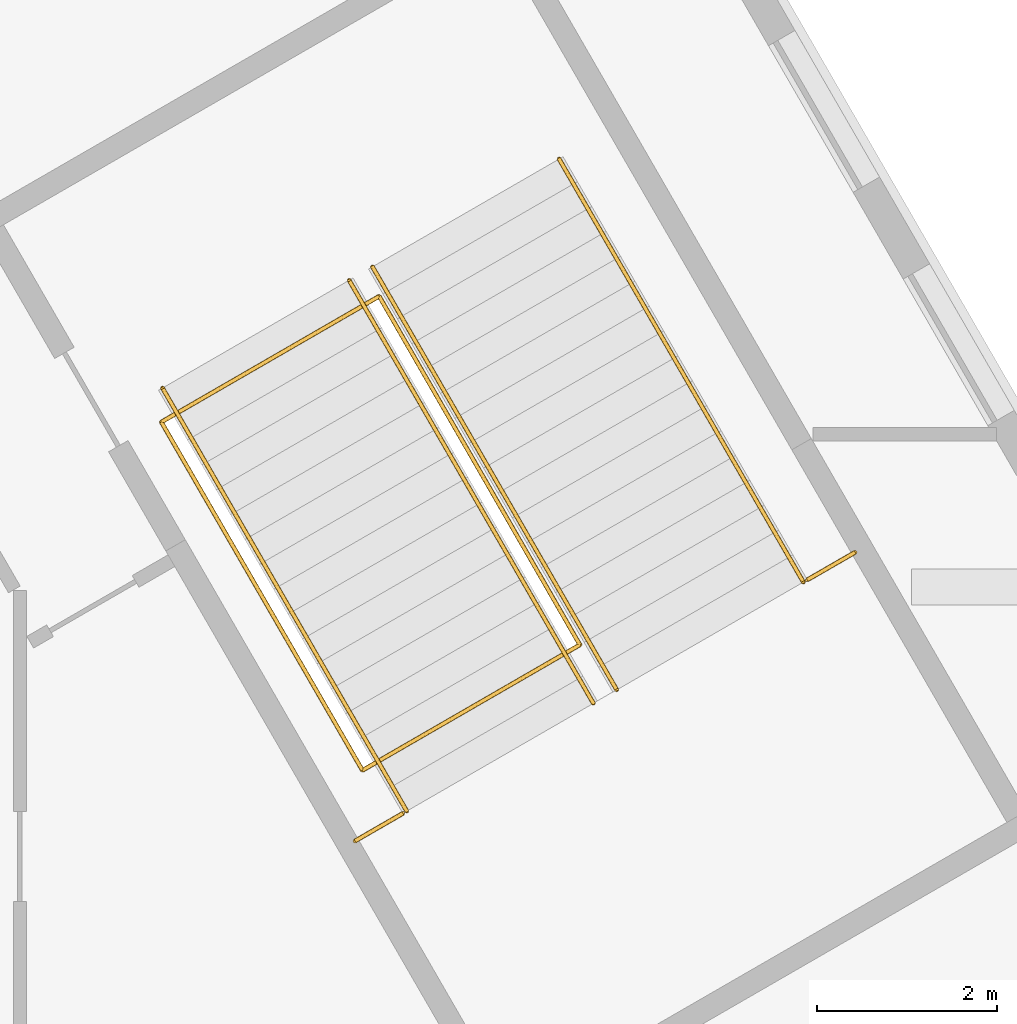
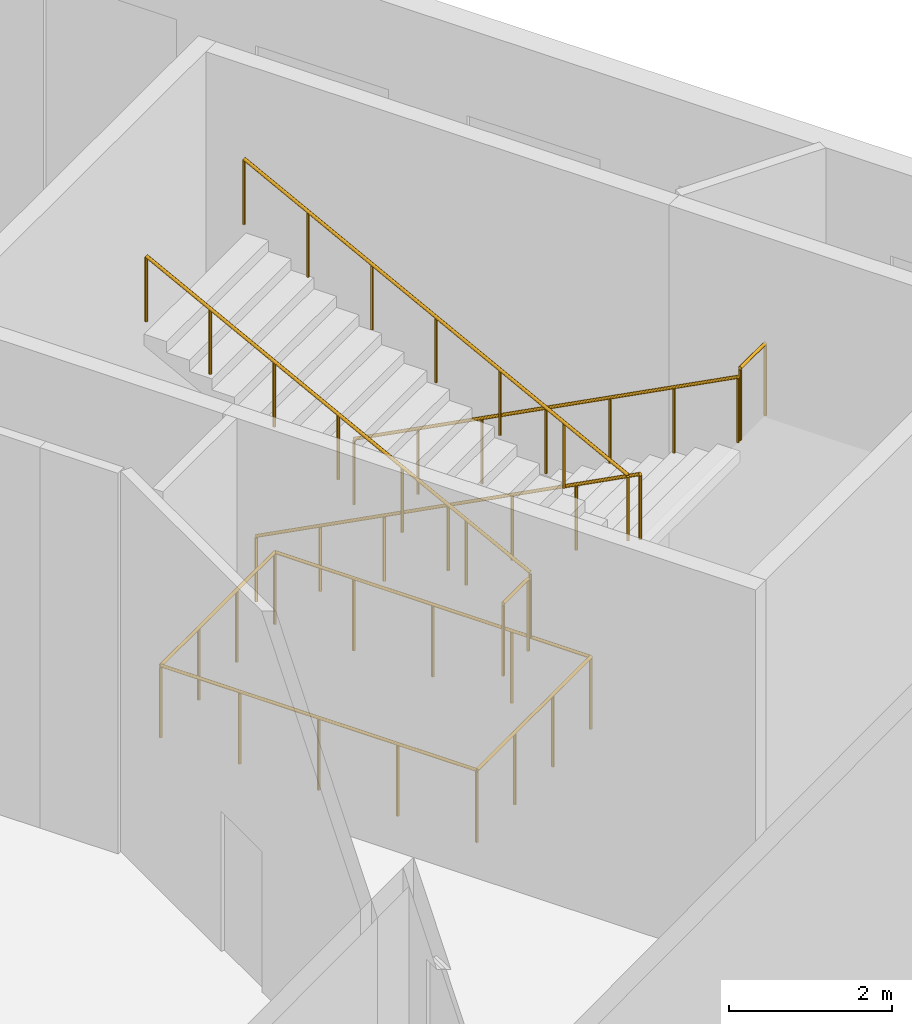
# One storey, part 24 of 27: 7 railings.
"""IFC4 building model written with IfcOpenShell, lengths in metres."""

from ifc_helpers import new_model, si_unit, direction, frame, origin, origin_2d, place, context, subcontext, project, spatial, circle, extrude, material, type_object, element, save


model = new_model("IFC4")

# Units and contexts
model_context = context("Model", 3, precision=1e-05, world=origin(), true_north=direction((0.0, 1.0)))
body_context = subcontext(model_context, "Body", "Model", "MODEL_VIEW")
ifc_project = project(units=[si_unit("LENGTHUNIT", "METRE"), si_unit("AREAUNIT", "SQUARE_METRE"), si_unit("VOLUMEUNIT", "CUBIC_METRE"), si_unit("PLANEANGLEUNIT", "RADIAN"), si_unit("MASSUNIT", "GRAM", prefix="KILO")], contexts=[model_context])

# Site, building, storey
site_placement = place(None, origin())
site = spatial("IfcSite", under=ifc_project, at=site_placement, CompositionType="ELEMENT")
building_placement = place(site_placement, origin())
building = spatial("IfcBuilding", under=site, at=building_placement, Name="Fogline Exchange Tower", CompositionType="ELEMENT")
storey_placement = place(building_placement, frame((0.0, 0.0, 8.0)))
storey = spatial("IfcBuildingStorey", under=building, at=storey_placement, Name="L01", CompositionType="ELEMENT", Elevation=8.0)

# Railings
ifc_material = material(Name="Steel Q235B", Category="steel")
railing_type_1 = type_object("IfcRailingType", Name="PG1", PredefinedType="GUARDRAIL", material=ifc_material)
railing_1_placement = place(storey_placement, frame((31.63818359375, 17.360107421875, 0.0)))
element("IfcRailing", 1, at=railing_1_placement, inside=storey, type_object=railing_type_1, Name="Stair well guard ST5", PredefinedType="GUARDRAIL", context=body_context, shape_type="SweptSolid", body=[
    extrude(circle(Radius=0.02392578125, at=origin_2d()), frame((0.0, 0.0, 1.076171875), z_axis=(-0.866034573852, -0.49998411664, 0.0), x_axis=(0.49998411664, -0.866034573852, 0.0)), (0.0, 0.0, 1.0), 2.7998046875),
    extrude(circle(Radius=0.02392578125, at=origin_2d()), frame((-2.4248046875, -1.39990234375, 1.076171875), z_axis=(-0.500015061066, 0.866016708099, 0.0), x_axis=(-0.866016708099, -0.500015061066, 0.0)), (0.0, 0.0, 1.0), 4.477783203125),
    extrude(circle(Radius=0.02392578125, at=origin_2d()), frame((-4.663818359375, 2.47802734375, 1.076171875), z_axis=(0.866018616679, 0.500011755427, 0.0), x_axis=(-0.500011755427, 0.866018616679, 0.0)), (0.0, 0.0, 1.0), 2.80029296875),
    extrude(circle(Radius=0.02392578125, at=origin_2d()), frame((-2.23876953125, 3.878173828125, 1.076171875), z_axis=(0.498978093907, -0.866614598193, 0.0), x_axis=(0.866614598193, 0.498978093907, 0.0)), (0.0, 0.0, 1.0), 4.477783203125),
    extrude(circle(Radius=0.02099609375, at=origin_2d()), origin(), (0.0, 0.0, 1.0), 1.052001953125),
    extrude(circle(Radius=0.02099609375, at=origin_2d()), frame((-0.808349609375, -0.466552734375, 0.0)), (0.0, 0.0, 1.0), 1.052001953125),
    extrude(circle(Radius=0.02099609375, at=origin_2d()), frame((-1.616455078125, -0.933349609375, 0.0)), (0.0, 0.0, 1.0), 1.052001953125),
    extrude(circle(Radius=0.02099609375, at=origin_2d()), frame((-2.4248046875, -1.39990234375, 0.0)), (0.0, 0.0, 1.0), 1.052001953125),
    extrude(circle(Radius=0.02099609375, at=origin_2d()), frame((-2.984619140625, -0.430419921875, 0.0)), (0.0, 0.0, 1.0), 1.052001953125),
    extrude(circle(Radius=0.02099609375, at=origin_2d()), frame((-3.54443359375, 0.5390625, 0.0)), (0.0, 0.0, 1.0), 1.052001953125),
    extrude(circle(Radius=0.02099609375, at=origin_2d()), frame((-4.10400390625, 1.508544921875, 0.0)), (0.0, 0.0, 1.0), 1.052001953125),
    extrude(circle(Radius=0.02099609375, at=origin_2d()), frame((-4.663818359375, 2.47802734375, 0.0)), (0.0, 0.0, 1.0), 1.052001953125),
    extrude(circle(Radius=0.02099609375, at=origin_2d()), frame((-3.85546875, 2.94482421875, 0.0)), (0.0, 0.0, 1.0), 1.052001953125),
    extrude(circle(Radius=0.02099609375, at=origin_2d()), frame((-3.047119140625, 3.411376953125, 0.0)), (0.0, 0.0, 1.0), 1.052001953125),
    extrude(circle(Radius=0.02099609375, at=origin_2d()), frame((-2.23876953125, 3.878173828125, 0.0)), (0.0, 0.0, 1.0), 1.052001953125),
    extrude(circle(Radius=0.02099609375, at=origin_2d()), frame((-1.68017578125, 2.907958984375, 0.0)), (0.0, 0.0, 1.0), 1.052001953125),
    extrude(circle(Radius=0.02099609375, at=origin_2d()), frame((-1.12158203125, 1.93798828125, 0.0)), (0.0, 0.0, 1.0), 1.052001953125),
    extrude(circle(Radius=0.02099609375, at=origin_2d()), frame((-0.56298828125, 0.9677734375, 0.0)), (0.0, 0.0, 1.0), 1.052001953125),
    extrude(circle(Radius=0.02099609375, at=origin_2d()), frame((-0.00439453125, -0.00244140625, 0.0)), (0.0, 0.0, 1.0), 1.052001953125),
])
railing_2_placement = place(storey_placement, frame((34.69921875, 18.38818359375, 3.0)))
element("IfcRailing", 2, at=railing_2_placement, inside=storey, type_object=railing_type_1, Name="Landing guard ST5", PredefinedType="GUARDRAIL", context=body_context, shape_type="SweptSolid", body=[
    extrude(circle(Radius=0.02392578125, at=origin_2d()), frame((0.0, 0.0, 1.076171875), z_axis=(-0.86615915044, -0.499768272412, 0.0), x_axis=(0.499768272412, -0.86615915044, 0.0)), (0.0, 0.0, 1.0), 0.614990234375),
    extrude(circle(Radius=0.02099609375, at=origin_2d()), origin(), (0.0, 0.0, 1.0), 1.052001953125),
    extrude(circle(Radius=0.02099609375, at=origin_2d()), frame((-0.53271484375, -0.307373046875, 0.0)), (0.0, 0.0, 1.0), 1.052001953125),
])
railing_3_placement = place(storey_placement, frame((29.6630859375, 15.480712890625, 3.0)))
element("IfcRailing", 3, at=railing_3_placement, inside=storey, type_object=railing_type_1, Name="Landing guard ST5", PredefinedType="GUARDRAIL", context=body_context, shape_type="SweptSolid", body=[
    extrude(circle(Radius=0.02392578125, at=origin_2d()), frame((0.0, 0.0, 1.076171875), z_axis=(-0.866059952115, -0.49994015576, 0.0), x_axis=(0.49994015576, -0.866059952115, 0.0)), (0.0, 0.0, 1.0), 0.61474609375),
    extrude(circle(Radius=0.02099609375, at=origin_2d()), origin(), (0.0, 0.0, 1.0), 1.052001953125),
    extrude(circle(Radius=0.02099609375, at=origin_2d()), frame((-0.532470703125, -0.307373046875, 0.0)), (0.0, 0.0, 1.0), 1.052001953125),
])
railing_type_2 = type_object("IfcRailingType", Name="PH1", PredefinedType="HANDRAIL", material=ifc_material)
railing_4_placement = place(storey_placement, frame((29.324951171875, 21.56689453125, 0.166748046875)))
element("IfcRailing", 4, at=railing_4_placement, inside=storey, type_object=railing_type_2, Name="Handrail ST5", PredefinedType="HANDRAIL", context=body_context, shape_type="SweptSolid", body=[
    extrude(circle(Radius=0.02392578125, at=origin_2d()), frame((0.0, 0.0, 0.97607421875), z_axis=(0.443455731556, -0.768096692562, 0.461924761216), x_axis=(0.866027894023, 0.499995686755, 0.0)), (0.0, 0.0, 1.0), 6.133544921875),
    extrude(circle(Radius=0.02099609375, at=origin_2d()), origin(), (0.0, 0.0, 1.0), 0.951904296875),
    extrude(circle(Radius=0.02099609375, at=origin_2d()), frame((0.453369140625, -0.78515625, 0.47216796875)), (0.0, 0.0, 1.0), 0.951904296875),
    extrude(circle(Radius=0.02099609375, at=origin_2d()), frame((0.90673828125, -1.5703125, 0.9443359375)), (0.0, 0.0, 1.0), 0.951904296875),
    extrude(circle(Radius=0.02099609375, at=origin_2d()), frame((1.35986328125, -2.35546875, 1.41650390625)), (0.0, 0.0, 1.0), 0.951904296875),
    extrude(circle(Radius=0.02099609375, at=origin_2d()), frame((1.813232421875, -3.140869140625, 1.888916015625)), (0.0, 0.0, 1.0), 0.951904296875),
    extrude(circle(Radius=0.02099609375, at=origin_2d()), frame((2.2666015625, -3.926025390625, 2.361083984375)), (0.0, 0.0, 1.0), 0.951904296875),
    extrude(circle(Radius=0.02099609375, at=origin_2d()), frame((2.719970703125, -4.711181640625, 2.833251953125)), (0.0, 0.0, 1.0), 0.951904296875),
])
railing_5_placement = place(storey_placement, frame((31.4033203125, 22.76708984375, 0.166748046875)))
element("IfcRailing", 5, at=railing_5_placement, inside=storey, type_object=railing_type_2, Name="Handrail ST5", PredefinedType="HANDRAIL", context=body_context, shape_type="SweptSolid", body=[
    extrude(circle(Radius=0.02392578125, at=origin_2d()), frame((0.0, 0.0, 0.97607421875), z_axis=(0.443442173932, -0.768113012524, 0.461910638944), x_axis=(0.866039112897, 0.499976254368, 0.0)), (0.0, 0.0, 1.0), 6.1337890625),
    extrude(circle(Radius=0.02099609375, at=origin_2d()), origin(), (0.0, 0.0, 1.0), 0.951904296875),
    extrude(circle(Radius=0.02099609375, at=origin_2d()), frame((0.453369140625, -0.78515625, 0.47216796875)), (0.0, 0.0, 1.0), 0.951904296875),
    extrude(circle(Radius=0.02099609375, at=origin_2d()), frame((0.90673828125, -1.570556640625, 0.9443359375)), (0.0, 0.0, 1.0), 0.951904296875),
    extrude(circle(Radius=0.02099609375, at=origin_2d()), frame((1.35986328125, -2.355712890625, 1.41650390625)), (0.0, 0.0, 1.0), 0.951904296875),
    extrude(circle(Radius=0.02099609375, at=origin_2d()), frame((1.813232421875, -3.140869140625, 1.888916015625)), (0.0, 0.0, 1.0), 0.951904296875),
    extrude(circle(Radius=0.02099609375, at=origin_2d()), frame((2.2666015625, -3.92626953125, 2.361083984375)), (0.0, 0.0, 1.0), 0.951904296875),
    extrude(circle(Radius=0.02099609375, at=origin_2d()), frame((2.719970703125, -4.71142578125, 2.833251953125)), (0.0, 0.0, 1.0), 0.951904296875),
])
railing_6_placement = place(storey_placement, frame((31.784912109375, 16.705810546875, 3.166748046875)))
element("IfcRailing", 6, at=railing_6_placement, inside=storey, type_object=railing_type_2, Name="Handrail ST5", PredefinedType="HANDRAIL", context=body_context, shape_type="SweptSolid", body=[
    extrude(circle(Radius=0.02392578125, at=origin_2d()), frame((0.0, 0.0, 0.97607421875), z_axis=(-0.443423754331, 0.768110250208, 0.461932914632), x_axis=(-0.866047326822, -0.499962026263, 0.0)), (0.0, 0.0, 1.0), 6.133544921875),
    extrude(circle(Radius=0.02099609375, at=origin_2d()), origin(), (0.0, 0.0, 1.0), 0.951904296875),
    extrude(circle(Radius=0.02099609375, at=origin_2d()), frame((-0.453369140625, 0.78515625, 0.47216796875)), (0.0, 0.0, 1.0), 0.951904296875),
    extrude(circle(Radius=0.02099609375, at=origin_2d()), frame((-0.906494140625, 1.5703125, 0.9443359375)), (0.0, 0.0, 1.0), 0.951904296875),
    extrude(circle(Radius=0.02099609375, at=origin_2d()), frame((-1.35986328125, 2.35546875, 1.41650390625)), (0.0, 0.0, 1.0), 0.951904296875),
    extrude(circle(Radius=0.02099609375, at=origin_2d()), frame((-1.813232421875, 3.140869140625, 1.888916015625)), (0.0, 0.0, 1.0), 0.951904296875),
    extrude(circle(Radius=0.02099609375, at=origin_2d()), frame((-2.266357421875, 3.926025390625, 2.361083984375)), (0.0, 0.0, 1.0), 0.951904296875),
    extrude(circle(Radius=0.02099609375, at=origin_2d()), frame((-2.7197265625, 4.711181640625, 2.833251953125)), (0.0, 0.0, 1.0), 0.951904296875),
])
railing_7_placement = place(storey_placement, frame((29.70654296875, 15.505859375, 3.166748046875)))
element("IfcRailing", 7, at=railing_7_placement, inside=storey, type_object=railing_type_2, Name="Handrail ST5", PredefinedType="HANDRAIL", context=body_context, shape_type="SweptSolid", body=[
    extrude(circle(Radius=0.02392578125, at=origin_2d()), frame((0.0, 0.0, 0.97607421875), z_axis=(-0.443455731556, 0.768096692562, 0.461924761216), x_axis=(-0.866027894023, -0.499995686755, 0.0)), (0.0, 0.0, 1.0), 6.133544921875),
    extrude(circle(Radius=0.02099609375, at=origin_2d()), origin(), (0.0, 0.0, 1.0), 0.951904296875),
    extrude(circle(Radius=0.02099609375, at=origin_2d()), frame((-0.453369140625, 0.78515625, 0.47216796875)), (0.0, 0.0, 1.0), 0.951904296875),
    extrude(circle(Radius=0.02099609375, at=origin_2d()), frame((-0.90673828125, 1.5703125, 0.9443359375)), (0.0, 0.0, 1.0), 0.951904296875),
    extrude(circle(Radius=0.02099609375, at=origin_2d()), frame((-1.35986328125, 2.35546875, 1.41650390625)), (0.0, 0.0, 1.0), 0.951904296875),
    extrude(circle(Radius=0.02099609375, at=origin_2d()), frame((-1.813232421875, 3.140869140625, 1.888916015625)), (0.0, 0.0, 1.0), 0.951904296875),
    extrude(circle(Radius=0.02099609375, at=origin_2d()), frame((-2.2666015625, 3.926025390625, 2.361083984375)), (0.0, 0.0, 1.0), 0.951904296875),
    extrude(circle(Radius=0.02099609375, at=origin_2d()), frame((-2.719970703125, 4.711181640625, 2.833251953125)), (0.0, 0.0, 1.0), 0.951904296875),
])

save(model, "model.ifc")
